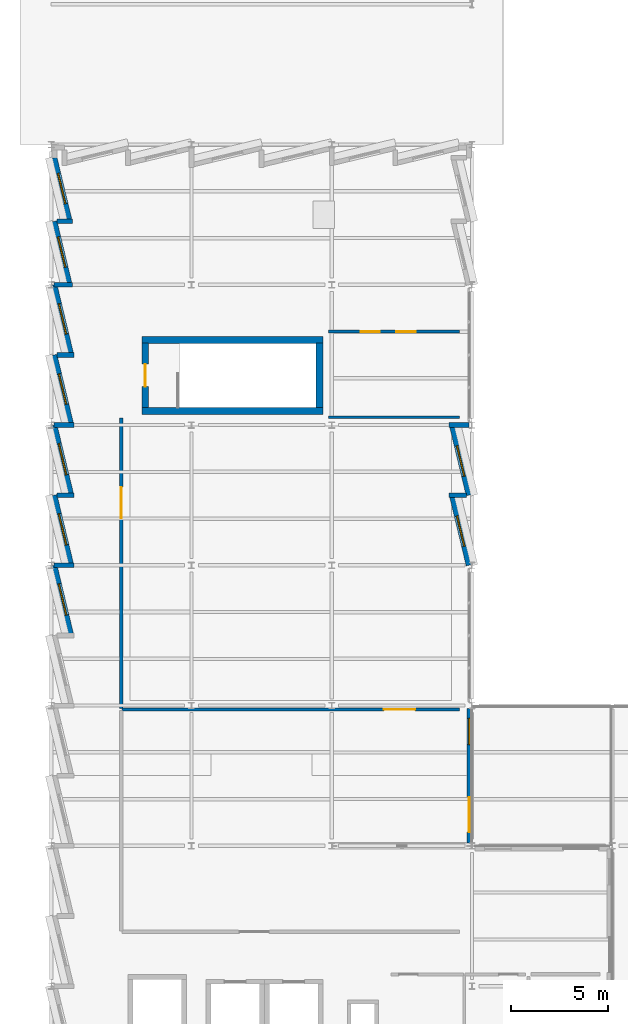
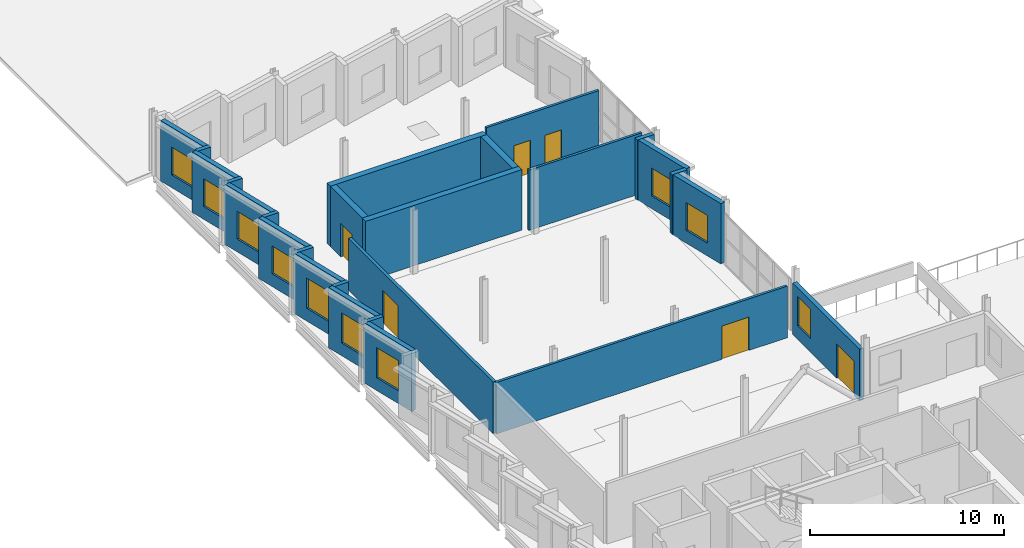
# One storey, part 15 of 18: 26 walls, 10 windows, 6 doors, 16 openings.
"""IFC4 building model written with IfcOpenShell, lengths in metres."""

from ifc_helpers import new_model, si_unit, direction, frame, frame_2d, origin, place, context, subcontext, project, spatial, rectangle, extrude, material, layer, layer_set, type_object, element, fill, save


model = new_model("IFC4")

# Units and contexts
model_context = context("Model", 3, precision=1e-05, world=origin(), true_north=direction((0.0, 1.0)))
body_context = subcontext(model_context, "Body", "Model", "MODEL_VIEW")
ifc_project = project(units=[si_unit("LENGTHUNIT", "METRE"), si_unit("AREAUNIT", "SQUARE_METRE"), si_unit("VOLUMEUNIT", "CUBIC_METRE"), si_unit("PLANEANGLEUNIT", "RADIAN"), si_unit("MASSUNIT", "GRAM", prefix="KILO")], contexts=[model_context])

# Site, building, storey
site_placement = place(None, origin())
site = spatial("IfcSite", under=ifc_project, at=site_placement, CompositionType="ELEMENT")
building_placement = place(site_placement, origin())
building = spatial("IfcBuilding", under=site, at=building_placement, Name="Kalmorath City Hall", CompositionType="ELEMENT")
storey_placement = place(building_placement, frame((0.0, 0.0, 27.0)))
storey = spatial("IfcBuildingStorey", under=building, at=storey_placement, Name="L06", CompositionType="ELEMENT", Elevation=27.0)

# Walls
ifc_material_1 = material(Name="Concrete C50/60", Category="concrete")
ifc_layer_1 = layer(ifc_material_1, 0.35009765625)
ifc_layer_set_1 = layer_set([ifc_layer_1], Name="Concrete C50/60")
wall_type_1 = type_object("IfcWallType", Name="Concrete core shear wall 350", PredefinedType="SHEAR", material=ifc_layer_set_1)
for number, where, z_axis, x_axis, name in (
    (1, (4.64990234375, 51.125, 0.0), (0.0, 0.0, 1.0), (1.0, 0.0, 0.0), "L06 C3 stair core shear wall S"),
    (2, (13.949951171875, 54.77490234375, 0.0), (0.0, 0.0, 1.0), (-1.0, 0.0, 0.0), "L06 C3 stair core shear wall N"),
):
    element("IfcWall", number, at=place(storey_placement, frame(where, z_axis=z_axis, x_axis=x_axis)), inside=storey, type_object=wall_type_1, Name=name, PredefinedType="SHEAR", context=body_context, shape_type="SweptSolid", body=[
        extrude(rectangle(XDim=9.300048828125, YDim=0.35009765625, at=frame_2d((4.64990234375, 0.0))), origin(), (0.0, 0.0, 1.0), 3.800048828125),
    ])

# Wall, opening, door
wall_1_placement = place(storey_placement, frame((4.824951171875, 54.60009765625, 0.0), z_axis=(0.0, 0.0, 1.0), x_axis=(0.0, -1.0, 0.0)))
wall_1 = element("IfcWall", 3, at=wall_1_placement, inside=storey, type_object=wall_type_1, Name="L06 C3 stair core shear wall W", PredefinedType="SHEAR", context=body_context, shape_type="SweptSolid", body=[
    extrude(rectangle(XDim=3.300048828125, YDim=0.35009765625, at=frame_2d((1.64990234375, 0.0))), origin(), (0.0, 0.0, 1.0), 3.800048828125),
])
opening_1_placement = place(wall_1_placement, frame((1.074951171875, 0.0, 0.0)))
opening_1 = element("IfcOpeningElement", 4, at=opening_1_placement, cuts=wall_1, Name="Opening D-L06-071", PredefinedType="OPENING", context=body_context, shape_type="SweptSolid", body=[
    extrude(rectangle(XDim=1.14990234375, YDim=2.10009765625, at=frame_2d((0.574951171875, 1.050048828125))), frame((0.0, 0.18505859375, 0.0), z_axis=(0.0, -1.0, 0.0), x_axis=(1.0, 0.0, 0.0)), (0.0, 0.0, 1.0), 0.3701171875),
])
ifc_material_2 = material(Name="Galvanised steel fire door", Category="steel")
door_type_1 = type_object("IfcDoorType", Name="Stair enclosure 90-min fire door 1150x2100", OperationType="NOTDEFINED", PredefinedType="DOOR", material=ifc_material_2)
door_1_placement = place(opening_1_placement, frame((1.14990234375, 0.0, 0.0), z_axis=(0.0, 0.0, 1.0), x_axis=(-1.0, 0.0, 0.0)))
door_1 = element("IfcDoor", 5, at=door_1_placement, inside=storey, type_object=door_type_1, Name="L06 door D-L06-071", OperationType="SINGLE_SWING_LEFT", OverallHeight=2.10009765625, OverallWidth=1.14990234375, PredefinedType="DOOR", context=body_context, shape_type="SweptSolid", body=[
    extrude(rectangle(XDim=1.14990234375, YDim=2.10009765625, at=frame_2d((0.574951171875, 1.050048828125))), frame((0.0, 0.02490234375, 0.0), z_axis=(0.0, -1.0, 0.0), x_axis=(1.0, 0.0, 0.0)), (0.0, 0.0, 1.0), 0.050048828125),
])
fill(opening_1, door_1)

# Wall
wall_2_placement = place(storey_placement, frame((13.77490234375, 51.300048828125, 0.0), z_axis=(0.0, 0.0, 1.0), x_axis=(0.0, 1.0, 0.0)))
element("IfcWall", 6, at=wall_2_placement, inside=storey, type_object=wall_type_1, Name="L06 C3 stair core shear wall E", PredefinedType="SHEAR", context=body_context, shape_type="SweptSolid", body=[
    extrude(rectangle(XDim=3.300048828125, YDim=0.35009765625, at=frame_2d((1.64990234375, 0.0))), origin(), (0.0, 0.0, 1.0), 3.800048828125),
])

# Wall, opening, door
ifc_material_3 = material(Name="Acoustic metal-stud gypsum partition")
ifc_layer_2 = layer(ifc_material_3, 0.14990234375)
ifc_layer_set_2 = layer_set([ifc_layer_2], Name="Acoustic metal-stud gypsum partition")
wall_type_2 = type_object("IfcWallType", Name="Departmental suite partition 150", PredefinedType="PARTITIONING", material=ifc_layer_set_2)
wall_3_placement = place(storey_placement, frame((3.639892578125, 35.800048828125, 0.0), z_axis=(0.0, 0.0, 1.0), x_axis=(1.0, 0.0, 0.0)))
wall_3 = element("IfcWall", 7, at=wall_3_placement, inside=storey, type_object=wall_type_2, Name="L06 interior partition PW4 #194", PredefinedType="PARTITIONING", context=body_context, shape_type="SweptSolid", body=[
    extrude(rectangle(XDim=17.320068359375, YDim=0.14990234375, at=frame_2d((8.66015625, 0.0))), origin(), (0.0, 0.0, 1.0), 3.24609375),
])
opening_2_placement = place(wall_3_placement, frame((13.43994140625, 0.0, 0.0)))
opening_2 = element("IfcOpeningElement", 8, at=opening_2_placement, cuts=wall_3, Name="Opening D-L06-265", PredefinedType="OPENING", context=body_context, shape_type="SweptSolid", body=[
    extrude(rectangle(XDim=1.60009765625, YDim=2.10009765625, at=frame_2d((0.800048828125, 1.050048828125))), frame((0.0, 0.0849609375, 0.0), z_axis=(0.0, -1.0, 0.0), x_axis=(1.0, 0.0, 0.0)), (0.0, 0.0, 1.0), 0.169921875),
])
ifc_material_4 = material(Name="Acoustic hardwood fire door", Category="wood")
door_type_2 = type_object("IfcDoorType", Name="Committee double fire door 1600x2100", OperationType="DOUBLE_DOOR_SINGLE_SWING", PredefinedType="DOOR", material=ifc_material_4)
door_2_placement = place(opening_2_placement, origin())
door_2 = element("IfcDoor", 9, at=door_2_placement, inside=storey, type_object=door_type_2, Name="L06 door D-L06-265", OperationType="DOUBLE_DOOR_SINGLE_SWING", OverallHeight=2.10009765625, OverallWidth=1.60009765625, PredefinedType="DOOR", context=body_context, shape_type="SweptSolid", body=[
    extrude(rectangle(XDim=1.60009765625, YDim=2.10009765625, at=frame_2d((0.800048828125, 1.050048828125))), frame((0.0, 0.02490234375, 0.0), z_axis=(0.0, -1.0, 0.0), x_axis=(1.0, 0.0, 0.0)), (0.0, 0.0, 1.0), 0.050048828125),
])
fill(opening_2, door_2)

# Wall
wall_4_placement = place(storey_placement, frame((14.239990234375, 50.800048828125, 0.0), z_axis=(0.0, 0.0, 1.0), x_axis=(1.0, 0.0, 0.0)))
element("IfcWall", 10, at=wall_4_placement, inside=storey, type_object=wall_type_2, Name="L06 interior partition PW4 #195", PredefinedType="PARTITIONING", context=body_context, shape_type="SweptSolid", body=[
    extrude(rectangle(XDim=6.719970703125, YDim=0.14990234375, at=frame_2d((3.35986328125, 0.0))), origin(), (0.0, 0.0, 1.0), 3.800048828125),
])

# Wall, openings, doors
wall_5_placement = place(storey_placement, frame((14.239990234375, 55.199951171875, 0.0), z_axis=(0.0, 0.0, 1.0), x_axis=(1.0, 0.0, 0.0)))
wall_5 = element("IfcWall", 11, at=wall_5_placement, inside=storey, type_object=wall_type_2, Name="L06 interior partition PW4 #196", PredefinedType="PARTITIONING", context=body_context, shape_type="SweptSolid", body=[
    extrude(rectangle(XDim=6.719970703125, YDim=0.14990234375, at=frame_2d((3.35986328125, 0.0))), origin(), (0.0, 0.0, 1.0), 3.800048828125),
])
opening_3_placement = place(wall_5_placement, frame((3.482421875, 0.0, 0.0)))
opening_3 = element("IfcOpeningElement", 12, at=opening_3_placement, cuts=wall_5, Name="Opening D-L06-266", PredefinedType="OPENING", context=body_context, shape_type="SweptSolid", body=[
    extrude(rectangle(XDim=0.97998046875, YDim=2.10009765625, at=frame_2d((0.489990234375, 1.050048828125))), frame((0.0, 0.0849609375, 0.0), z_axis=(0.0, -1.0, 0.0), x_axis=(1.0, 0.0, 0.0)), (0.0, 0.0, 1.0), 0.169921875),
])
opening_4_placement = place(wall_5_placement, frame((1.64501953125, 0.0, 0.0)))
opening_4 = element("IfcOpeningElement", 13, at=opening_4_placement, cuts=wall_5, Name="Opening D-L06-267", PredefinedType="OPENING", context=body_context, shape_type="SweptSolid", body=[
    extrude(rectangle(XDim=0.97998046875, YDim=2.10009765625, at=frame_2d((0.489990234375, 1.050048828125))), frame((0.0, 0.0849609375, 0.0), z_axis=(0.0, -1.0, 0.0), x_axis=(1.0, 0.0, 0.0)), (0.0, 0.0, 1.0), 0.169921875),
])
ifc_material_5 = material(Name="Hardwood veneer door", Category="wood")
door_type_3 = type_object("IfcDoorType", Name="Municipal suite single door 980x2100", OperationType="NOTDEFINED", PredefinedType="DOOR", material=ifc_material_5)
door_3_placement = place(opening_3_placement, origin())
door_3 = element("IfcDoor", 14, at=door_3_placement, inside=storey, type_object=door_type_3, Name="L06 door D-L06-266", OperationType="SINGLE_SWING_RIGHT", OverallHeight=2.10009765625, OverallWidth=0.97998046875, PredefinedType="DOOR", context=body_context, shape_type="SweptSolid", body=[
    extrude(rectangle(XDim=0.97998046875, YDim=2.10009765625, at=frame_2d((0.489990234375, 1.050048828125))), frame((0.0, 0.02490234375, 0.0), z_axis=(0.0, -1.0, 0.0), x_axis=(1.0, 0.0, 0.0)), (0.0, 0.0, 1.0), 0.050048828125),
])
fill(opening_3, door_3)
door_4_placement = place(opening_4_placement, origin())
door_4 = element("IfcDoor", 15, at=door_4_placement, inside=storey, type_object=door_type_3, Name="L06 door D-L06-267", OperationType="SINGLE_SWING_LEFT", OverallHeight=2.10009765625, OverallWidth=0.97998046875, PredefinedType="DOOR", context=body_context, shape_type="SweptSolid", body=[
    extrude(rectangle(XDim=0.97998046875, YDim=2.10009765625, at=frame_2d((0.489990234375, 1.050048828125))), frame((0.0, 0.02490234375, 0.0), z_axis=(0.0, -1.0, 0.0), x_axis=(1.0, 0.0, 0.0)), (0.0, 0.0, 1.0), 0.050048828125),
])
fill(opening_4, door_4)

# Wall, opening, door
ifc_material_6 = material(Name="Fire-rated acoustic gypsum partition")
ifc_layer_3 = layer(ifc_material_6, 0.179931640625)
ifc_layer_set_3 = layer_set([ifc_layer_3], Name="Fire-rated acoustic gypsum partition")
wall_type_3 = type_object("IfcWallType", Name="One-hour corridor fire partition 180", PredefinedType="PARTITIONING", material=ifc_layer_set_3)
wall_6_placement = place(storey_placement, frame((3.60009765625, 35.840087890625, 0.0), z_axis=(0.0, 0.0, 1.0), x_axis=(0.0, 1.0, 0.0)))
wall_6 = element("IfcWall", 16, at=wall_6_placement, inside=storey, type_object=wall_type_3, Name="L06 interior partition PW2 #186", PredefinedType="PARTITIONING", context=body_context, shape_type="SweptSolid", body=[
    extrude(rectangle(XDim=14.919921875, YDim=0.179931640625, at=frame_2d((7.4599609375, 0.0))), origin(), (0.0, 0.0, 1.0), 3.256103515625),
])
opening_5_placement = place(wall_6_placement, frame((9.780029296875, 0.0, 0.0)))
opening_5 = element("IfcOpeningElement", 17, at=opening_5_placement, cuts=wall_6, Name="Opening D-L06-264", PredefinedType="OPENING", context=body_context, shape_type="SweptSolid", body=[
    extrude(rectangle(XDim=1.60009765625, YDim=2.10009765625, at=frame_2d((0.800048828125, 1.050048828125))), frame((0.0, 0.099853515625, 0.0), z_axis=(0.0, -1.0, 0.0), x_axis=(1.0, 0.0, 0.0)), (0.0, 0.0, 1.0), 0.199951171875),
])
door_5_placement = place(opening_5_placement, origin())
door_5 = element("IfcDoor", 18, at=door_5_placement, inside=storey, type_object=door_type_2, Name="L06 door D-L06-264", OperationType="DOUBLE_DOOR_SINGLE_SWING", OverallHeight=2.10009765625, OverallWidth=1.60009765625, PredefinedType="DOOR", context=body_context, shape_type="SweptSolid", body=[
    extrude(rectangle(XDim=1.60009765625, YDim=2.10009765625, at=frame_2d((0.800048828125, 1.050048828125))), frame((0.0, 0.02490234375, 0.0), z_axis=(0.0, -1.0, 0.0), x_axis=(1.0, 0.0, 0.0)), (0.0, 0.0, 1.0), 0.050048828125),
])
fill(opening_5, door_5)

# Walls
ifc_material_7 = material(Name="Precast concrete C40/50", Category="concrete")
ifc_layer_4 = layer(ifc_material_7, 0.239990234375)
ifc_layer_set_4 = layer_set([ifc_layer_4], Name="Precast concrete C40/50")
wall_type_4 = type_object("IfcWallType", Name="Precast sawtooth cheek wall 240", PredefinedType="SOLIDWALL", material=ifc_layer_set_4)
wall_7_placement = place(storey_placement, frame((20.4306640625, 46.800048828125, 0.0), z_axis=(0.0, 0.0, 1.0), x_axis=(1.0, 0.0, 0.0)))
element("IfcWall", 19, at=wall_7_placement, inside=storey, type_object=wall_type_4, Name="L06 sawtooth return cheek #988", PredefinedType="SOLIDWALL", context=body_context, shape_type="SweptSolid", body=[
    extrude(rectangle(XDim=0.87744140625, YDim=0.239990234375, at=frame_2d((0.438720703125, 0.0))), origin(), (0.0, 0.0, 1.0), 3.800048828125),
])
wall_8_placement = place(storey_placement, frame((20.4306640625, 50.39990234375, 0.0), z_axis=(0.0, 0.0, 1.0), x_axis=(1.0, 0.0, 0.0)))
element("IfcWall", 20, at=wall_8_placement, inside=storey, type_object=wall_type_4, Name="L06 sawtooth return cheek #990", PredefinedType="SOLIDWALL", context=body_context, shape_type="SweptSolid", body=[
    extrude(rectangle(XDim=1.014892578125, YDim=0.239990234375, at=frame_2d((0.50732421875, 0.0))), origin(), (0.0, 0.0, 1.0), 3.800048828125),
])
wall_9_placement = place(storey_placement, frame((1.087646484375, 60.860107421875, 0.0), z_axis=(0.0, 0.0, 1.0), x_axis=(-1.0, 0.0, 0.0)))
element("IfcWall", 21, at=wall_9_placement, inside=storey, type_object=wall_type_4, Name="L06 sawtooth return cheek #1012", PredefinedType="SOLIDWALL", context=body_context, shape_type="SweptSolid", body=[
    extrude(rectangle(XDim=0.795654296875, YDim=0.239990234375, at=frame_2d((0.39794921875, 0.0))), origin(), (0.0, 0.0, 1.0), 3.800048828125),
])
wall_10_placement = place(storey_placement, frame((1.087646484375, 57.60009765625, 0.0), z_axis=(0.0, 0.0, 1.0), x_axis=(-1.0, 0.0, 0.0)))
element("IfcWall", 22, at=wall_10_placement, inside=storey, type_object=wall_type_4, Name="L06 sawtooth return cheek #1014", PredefinedType="SOLIDWALL", context=body_context, shape_type="SweptSolid", body=[
    extrude(rectangle(XDim=0.93310546875, YDim=0.239990234375, at=frame_2d((0.466552734375, 0.0))), origin(), (0.0, 0.0, 1.0), 3.800048828125),
])
wall_11_placement = place(storey_placement, frame((1.169189453125, 54.0, 0.0), z_axis=(0.0, 0.0, 1.0), x_axis=(-1.0, 0.0, 0.0)))
element("IfcWall", 23, at=wall_11_placement, inside=storey, type_object=wall_type_4, Name="L06 sawtooth return cheek #1016", PredefinedType="SOLIDWALL", context=body_context, shape_type="SweptSolid", body=[
    extrude(rectangle(XDim=0.877197265625, YDim=0.239990234375, at=frame_2d((0.4384765625, 0.0))), origin(), (0.0, 0.0, 1.0), 3.800048828125),
])
wall_12_placement = place(storey_placement, frame((1.169189453125, 50.39990234375, 0.0), z_axis=(0.0, 0.0, 1.0), x_axis=(-1.0, 0.0, 0.0)))
element("IfcWall", 24, at=wall_12_placement, inside=storey, type_object=wall_type_4, Name="L06 sawtooth return cheek #1018", PredefinedType="SOLIDWALL", context=body_context, shape_type="SweptSolid", body=[
    extrude(rectangle(XDim=1.0146484375, YDim=0.239990234375, at=frame_2d((0.50732421875, 0.0))), origin(), (0.0, 0.0, 1.0), 3.800048828125),
])
wall_13_placement = place(storey_placement, frame((1.169189453125, 46.800048828125, 0.0), z_axis=(0.0, 0.0, 1.0), x_axis=(-1.0, 0.0, 0.0)))
element("IfcWall", 25, at=wall_13_placement, inside=storey, type_object=wall_type_4, Name="L06 sawtooth return cheek #1020", PredefinedType="SOLIDWALL", context=body_context, shape_type="SweptSolid", body=[
    extrude(rectangle(XDim=0.877197265625, YDim=0.239990234375, at=frame_2d((0.4384765625, 0.0))), origin(), (0.0, 0.0, 1.0), 3.800048828125),
])
wall_14_placement = place(storey_placement, frame((1.169189453125, 43.199951171875, 0.0), z_axis=(0.0, 0.0, 1.0), x_axis=(-1.0, 0.0, 0.0)))
element("IfcWall", 26, at=wall_14_placement, inside=storey, type_object=wall_type_4, Name="L06 sawtooth return cheek #1022", PredefinedType="SOLIDWALL", context=body_context, shape_type="SweptSolid", body=[
    extrude(rectangle(XDim=1.0146484375, YDim=0.239990234375, at=frame_2d((0.50732421875, 0.0))), origin(), (0.0, 0.0, 1.0), 3.800048828125),
])

# Wall, opening, window
ifc_material_8 = material(Name="Precast concrete C40/50", Category="concrete")
ifc_layer_5 = layer(ifc_material_8, 0.280029296875)
ifc_layer_set_5 = layer_set([ifc_layer_5], Name="Precast concrete C40/50")
wall_type_5 = type_object("IfcWallType", Name="Precast sawtooth facade wall 280", PredefinedType="SOLIDWALL", material=ifc_layer_set_5)
wall_15_placement = place(storey_placement, frame((21.43994140625, 43.199951171875, 0.0), z_axis=(0.0, 0.0, 1.0), x_axis=(-0.233431827365, 0.972373170122, 0.0)))
wall_15 = element("IfcWall", 27, at=wall_15_placement, inside=storey, type_object=wall_type_5, Name="L06 sawtooth precast frame #987", PredefinedType="SOLIDWALL", context=body_context, shape_type="SweptSolid", body=[
    extrude(rectangle(XDim=3.607177734375, YDim=0.280029296875, at=frame_2d((1.8037109375, 0.0))), origin(), (0.0, 0.0, 1.0), 3.800048828125),
])
opening_6_placement = place(wall_15_placement, frame((1.003662109375, 0.0, 0.800048828125)))
opening_6 = element("IfcOpeningElement", 28, at=opening_6_placement, cuts=wall_15, Name="Opening WN3", PredefinedType="OPENING", context=body_context, shape_type="SweptSolid", body=[
    extrude(rectangle(XDim=1.60009765625, YDim=1.75, at=frame_2d((0.800048828125, 0.875))), frame((0.0, 0.14990234375, 0.0), z_axis=(0.0, -1.0, 0.0), x_axis=(1.0, 0.0, 0.0)), (0.0, 0.0, 1.0), 0.300048828125),
])
ifc_material_9 = material(Name="Aluminium and laminated glass", Category="aluminium")
window_type_1 = type_object("IfcWindowType", Name="Sawtooth upper window 1600x1750", PartitioningType="SINGLE_PANEL", PredefinedType="WINDOW", material=ifc_material_9)
window_1_placement = place(opening_6_placement, origin())
window_1 = element("IfcWindow", 29, at=window_1_placement, inside=storey, type_object=window_type_1, Name="L06 window WN3-508", OverallHeight=1.75, OverallWidth=1.60009765625, PartitioningType="SINGLE_PANEL", PredefinedType="WINDOW", context=body_context, shape_type="SweptSolid", body=[
    extrude(rectangle(XDim=1.60009765625, YDim=1.75, at=frame_2d((0.800048828125, 0.875))), frame((0.0, 0.030029296875, 0.0), z_axis=(0.0, -1.0, 0.0), x_axis=(1.0, 0.0, 0.0)), (0.0, 0.0, 1.0), 0.06005859375),
])
fill(opening_6, window_1)

wall_16_placement = place(storey_placement, frame((21.43994140625, 46.800048828125, 0.0), z_axis=(0.0, 0.0, 1.0), x_axis=(-0.233431827365, 0.972373170122, 0.0)))
wall_16 = element("IfcWall", 30, at=wall_16_placement, inside=storey, type_object=wall_type_5, Name="L06 sawtooth precast frame #989", PredefinedType="SOLIDWALL", context=body_context, shape_type="SweptSolid", body=[
    extrude(rectangle(XDim=3.607177734375, YDim=0.280029296875, at=frame_2d((1.8037109375, 0.0))), origin(), (0.0, 0.0, 1.0), 3.800048828125),
])
opening_7_placement = place(wall_16_placement, frame((1.003662109375, 0.0, 0.800048828125)))
opening_7 = element("IfcOpeningElement", 31, at=opening_7_placement, cuts=wall_16, Name="Opening WN3", PredefinedType="OPENING", context=body_context, shape_type="SweptSolid", body=[
    extrude(rectangle(XDim=1.60009765625, YDim=1.75, at=frame_2d((0.800048828125, 0.875))), frame((0.0, 0.14990234375, 0.0), z_axis=(0.0, -1.0, 0.0), x_axis=(1.0, 0.0, 0.0)), (0.0, 0.0, 1.0), 0.300048828125),
])
window_2_placement = place(opening_7_placement, origin())
window_2 = element("IfcWindow", 32, at=window_2_placement, inside=storey, type_object=window_type_1, Name="L06 window WN3-509", OverallHeight=1.75, OverallWidth=1.60009765625, PartitioningType="SINGLE_PANEL", PredefinedType="WINDOW", context=body_context, shape_type="SweptSolid", body=[
    extrude(rectangle(XDim=1.60009765625, YDim=1.75, at=frame_2d((0.800048828125, 0.875))), frame((0.0, 0.030029296875, 0.0), z_axis=(0.0, -1.0, 0.0), x_axis=(1.0, 0.0, 0.0)), (0.0, 0.0, 1.0), 0.06005859375),
])
fill(opening_7, window_2)

wall_17_placement = place(storey_placement, frame((0.159912109375, 64.1201171875, 0.0), z_axis=(0.0, 0.0, 1.0), x_axis=(0.233443812137, -0.972370292931, 0.0)))
wall_17 = element("IfcWall", 33, at=wall_17_placement, inside=storey, type_object=wall_type_5, Name="L06 sawtooth precast frame #1011", PredefinedType="SOLIDWALL", context=body_context, shape_type="SweptSolid", body=[
    extrude(rectangle(XDim=3.2578125, YDim=0.280029296875, at=frame_2d((1.62890625, 0.0))), origin(), (0.0, 0.0, 1.0), 3.800048828125),
])
opening_8_placement = place(wall_17_placement, frame((0.828857421875, 0.0, 0.800048828125)))
opening_8 = element("IfcOpeningElement", 34, at=opening_8_placement, cuts=wall_17, Name="Opening WN3", PredefinedType="OPENING", context=body_context, shape_type="SweptSolid", body=[
    extrude(rectangle(XDim=1.60009765625, YDim=1.75, at=frame_2d((0.800048828125, 0.875))), frame((0.0, 0.14990234375, 0.0), z_axis=(0.0, -1.0, 0.0), x_axis=(1.0, 0.0, 0.0)), (0.0, 0.0, 1.0), 0.300048828125),
])
window_3_placement = place(opening_8_placement, origin())
window_3 = element("IfcWindow", 35, at=window_3_placement, inside=storey, type_object=window_type_1, Name="L06 window WN3-518", OverallHeight=1.75, OverallWidth=1.60009765625, PartitioningType="SINGLE_PANEL", PredefinedType="WINDOW", context=body_context, shape_type="SweptSolid", body=[
    extrude(rectangle(XDim=1.60009765625, YDim=1.75, at=frame_2d((0.800048828125, 0.875))), frame((0.0, 0.030029296875, 0.0), z_axis=(0.0, -1.0, 0.0), x_axis=(1.0, 0.0, 0.0)), (0.0, 0.0, 1.0), 0.06005859375),
])
fill(opening_8, window_3)

wall_18_placement = place(storey_placement, frame((0.159912109375, 60.860107421875, 0.0), z_axis=(0.0, 0.0, 1.0), x_axis=(0.233443812137, -0.972370292931, 0.0)))
wall_18 = element("IfcWall", 36, at=wall_18_placement, inside=storey, type_object=wall_type_5, Name="L06 sawtooth precast frame #1013", PredefinedType="SOLIDWALL", context=body_context, shape_type="SweptSolid", body=[
    extrude(rectangle(XDim=3.2578125, YDim=0.280029296875, at=frame_2d((1.62890625, 0.0))), origin(), (0.0, 0.0, 1.0), 3.800048828125),
])
opening_9_placement = place(wall_18_placement, frame((0.828857421875, 0.0, 0.800048828125)))
opening_9 = element("IfcOpeningElement", 37, at=opening_9_placement, cuts=wall_18, Name="Opening WN3", PredefinedType="OPENING", context=body_context, shape_type="SweptSolid", body=[
    extrude(rectangle(XDim=1.60009765625, YDim=1.75, at=frame_2d((0.800048828125, 0.875))), frame((0.0, 0.14990234375, 0.0), z_axis=(0.0, -1.0, 0.0), x_axis=(1.0, 0.0, 0.0)), (0.0, 0.0, 1.0), 0.300048828125),
])
window_4_placement = place(opening_9_placement, origin())
window_4 = element("IfcWindow", 38, at=window_4_placement, inside=storey, type_object=window_type_1, Name="L06 window WN3-519", OverallHeight=1.75, OverallWidth=1.60009765625, PartitioningType="SINGLE_PANEL", PredefinedType="WINDOW", context=body_context, shape_type="SweptSolid", body=[
    extrude(rectangle(XDim=1.60009765625, YDim=1.75, at=frame_2d((0.800048828125, 0.875))), frame((0.0, 0.030029296875, 0.0), z_axis=(0.0, -1.0, 0.0), x_axis=(1.0, 0.0, 0.0)), (0.0, 0.0, 1.0), 0.06005859375),
])
fill(opening_9, window_4)

wall_19_placement = place(storey_placement, frame((0.159912109375, 57.60009765625, 0.0), z_axis=(0.0, 0.0, 1.0), x_axis=(0.233480453725, -0.972361495396, 0.0)))
wall_19 = element("IfcWall", 39, at=wall_19_placement, inside=storey, type_object=wall_type_5, Name="L06 sawtooth precast frame #1015", PredefinedType="SOLIDWALL", context=body_context, shape_type="SweptSolid", body=[
    extrude(rectangle(XDim=3.607421875, YDim=0.280029296875, at=frame_2d((1.8037109375, 0.0))), origin(), (0.0, 0.0, 1.0), 3.800048828125),
])
opening_10_placement = place(wall_19_placement, frame((1.003662109375, 0.0, 0.800048828125)))
opening_10 = element("IfcOpeningElement", 40, at=opening_10_placement, cuts=wall_19, Name="Opening WN3", PredefinedType="OPENING", context=body_context, shape_type="SweptSolid", body=[
    extrude(rectangle(XDim=1.60009765625, YDim=1.75, at=frame_2d((0.800048828125, 0.875))), frame((0.0, 0.14990234375, 0.0), z_axis=(0.0, -1.0, 0.0), x_axis=(1.0, 0.0, 0.0)), (0.0, 0.0, 1.0), 0.300048828125),
])
window_5_placement = place(opening_10_placement, origin())
window_5 = element("IfcWindow", 41, at=window_5_placement, inside=storey, type_object=window_type_1, Name="L06 window WN3-520", OverallHeight=1.75, OverallWidth=1.60009765625, PartitioningType="SINGLE_PANEL", PredefinedType="WINDOW", context=body_context, shape_type="SweptSolid", body=[
    extrude(rectangle(XDim=1.60009765625, YDim=1.75, at=frame_2d((0.800048828125, 0.875))), frame((0.0, 0.030029296875, 0.0), z_axis=(0.0, -1.0, 0.0), x_axis=(1.0, 0.0, 0.0)), (0.0, 0.0, 1.0), 0.06005859375),
])
fill(opening_10, window_5)

wall_20_placement = place(storey_placement, frame((0.159912109375, 54.0, 0.0), z_axis=(0.0, 0.0, 1.0), x_axis=(0.233495818898, -0.972357805829, 0.0)))
wall_20 = element("IfcWall", 42, at=wall_20_placement, inside=storey, type_object=wall_type_5, Name="L06 sawtooth precast frame #1017", PredefinedType="SOLIDWALL", context=body_context, shape_type="SweptSolid", body=[
    extrude(rectangle(XDim=3.607177734375, YDim=0.280029296875, at=frame_2d((1.8037109375, 0.0))), origin(), (0.0, 0.0, 1.0), 3.800048828125),
])
opening_11_placement = place(wall_20_placement, frame((1.003662109375, 0.0, 0.800048828125)))
opening_11 = element("IfcOpeningElement", 43, at=opening_11_placement, cuts=wall_20, Name="Opening WN3", PredefinedType="OPENING", context=body_context, shape_type="SweptSolid", body=[
    extrude(rectangle(XDim=1.60009765625, YDim=1.75, at=frame_2d((0.800048828125, 0.875))), frame((0.0, 0.14990234375, 0.0), z_axis=(0.0, -1.0, 0.0), x_axis=(1.0, 0.0, 0.0)), (0.0, 0.0, 1.0), 0.300048828125),
])
window_6_placement = place(opening_11_placement, origin())
window_6 = element("IfcWindow", 44, at=window_6_placement, inside=storey, type_object=window_type_1, Name="L06 window WN3-521", OverallHeight=1.75, OverallWidth=1.60009765625, PartitioningType="SINGLE_PANEL", PredefinedType="WINDOW", context=body_context, shape_type="SweptSolid", body=[
    extrude(rectangle(XDim=1.60009765625, YDim=1.75, at=frame_2d((0.800048828125, 0.875))), frame((0.0, 0.030029296875, 0.0), z_axis=(0.0, -1.0, 0.0), x_axis=(1.0, 0.0, 0.0)), (0.0, 0.0, 1.0), 0.06005859375),
])
fill(opening_11, window_6)

wall_21_placement = place(storey_placement, frame((0.159912109375, 50.39990234375, 0.0), z_axis=(0.0, 0.0, 1.0), x_axis=(0.233495818898, -0.972357805829, 0.0)))
wall_21 = element("IfcWall", 45, at=wall_21_placement, inside=storey, type_object=wall_type_5, Name="L06 sawtooth precast frame #1019", PredefinedType="SOLIDWALL", context=body_context, shape_type="SweptSolid", body=[
    extrude(rectangle(XDim=3.607177734375, YDim=0.280029296875, at=frame_2d((1.8037109375, 0.0))), origin(), (0.0, 0.0, 1.0), 3.800048828125),
])
opening_12_placement = place(wall_21_placement, frame((0.978515625, 0.0, 0.800048828125)))
opening_12 = element("IfcOpeningElement", 46, at=opening_12_placement, cuts=wall_21, Name="Opening WN2", PredefinedType="OPENING", context=body_context, shape_type="SweptSolid", body=[
    extrude(rectangle(XDim=1.64990234375, YDim=1.89990234375, at=frame_2d((0.824951171875, 0.949951171875))), frame((0.0, 0.14990234375, 0.0), z_axis=(0.0, -1.0, 0.0), x_axis=(1.0, 0.0, 0.0)), (0.0, 0.0, 1.0), 0.300048828125),
])
ifc_material_10 = material(Name="Aluminium and laminated glass", Category="aluminium")
window_type_2 = type_object("IfcWindowType", Name="Sawtooth hurricane window 1650x1900", PartitioningType="SINGLE_PANEL", PredefinedType="WINDOW", material=ifc_material_10)
window_7_placement = place(opening_12_placement, origin())
window_7 = element("IfcWindow", 47, at=window_7_placement, inside=storey, type_object=window_type_2, Name="L06 window WN2-522", OverallHeight=1.89990234375, OverallWidth=1.64990234375, PartitioningType="SINGLE_PANEL", PredefinedType="WINDOW", context=body_context, shape_type="SweptSolid", body=[
    extrude(rectangle(XDim=1.64990234375, YDim=1.89990234375, at=frame_2d((0.824951171875, 0.949951171875))), frame((0.0, 0.030029296875, 0.0), z_axis=(0.0, -1.0, 0.0), x_axis=(1.0, 0.0, 0.0)), (0.0, 0.0, 1.0), 0.06005859375),
])
fill(opening_12, window_7)

wall_22_placement = place(storey_placement, frame((0.159912109375, 46.800048828125, 0.0), z_axis=(0.0, 0.0, 1.0), x_axis=(0.233495818898, -0.972357805829, 0.0)))
wall_22 = element("IfcWall", 48, at=wall_22_placement, inside=storey, type_object=wall_type_5, Name="L06 sawtooth precast frame #1021", PredefinedType="SOLIDWALL", context=body_context, shape_type="SweptSolid", body=[
    extrude(rectangle(XDim=3.607177734375, YDim=0.280029296875, at=frame_2d((1.8037109375, 0.0))), origin(), (0.0, 0.0, 1.0), 3.800048828125),
])
opening_13_placement = place(wall_22_placement, frame((0.978515625, 0.0, 0.800048828125)))
opening_13 = element("IfcOpeningElement", 49, at=opening_13_placement, cuts=wall_22, Name="Opening WN2", PredefinedType="OPENING", context=body_context, shape_type="SweptSolid", body=[
    extrude(rectangle(XDim=1.64990234375, YDim=1.89990234375, at=frame_2d((0.824951171875, 0.949951171875))), frame((0.0, 0.14990234375, 0.0), z_axis=(0.0, -1.0, 0.0), x_axis=(1.0, 0.0, 0.0)), (0.0, 0.0, 1.0), 0.300048828125),
])
window_8_placement = place(opening_13_placement, origin())
window_8 = element("IfcWindow", 50, at=window_8_placement, inside=storey, type_object=window_type_2, Name="L06 window WN2-523", OverallHeight=1.89990234375, OverallWidth=1.64990234375, PartitioningType="SINGLE_PANEL", PredefinedType="WINDOW", context=body_context, shape_type="SweptSolid", body=[
    extrude(rectangle(XDim=1.64990234375, YDim=1.89990234375, at=frame_2d((0.824951171875, 0.949951171875))), frame((0.0, 0.030029296875, 0.0), z_axis=(0.0, -1.0, 0.0), x_axis=(1.0, 0.0, 0.0)), (0.0, 0.0, 1.0), 0.06005859375),
])
fill(opening_13, window_8)

wall_23_placement = place(storey_placement, frame((0.159912109375, 43.199951171875, 0.0), z_axis=(0.0, 0.0, 1.0), x_axis=(0.233495818898, -0.972357805829, 0.0)))
wall_23 = element("IfcWall", 51, at=wall_23_placement, inside=storey, type_object=wall_type_5, Name="L06 sawtooth precast frame #1023", PredefinedType="SOLIDWALL", context=body_context, shape_type="SweptSolid", body=[
    extrude(rectangle(XDim=3.607177734375, YDim=0.280029296875, at=frame_2d((1.8037109375, 0.0))), origin(), (0.0, 0.0, 1.0), 3.800048828125),
])
opening_14_placement = place(wall_23_placement, frame((0.978515625, 0.0, 0.800048828125)))
opening_14 = element("IfcOpeningElement", 52, at=opening_14_placement, cuts=wall_23, Name="Opening WN2", PredefinedType="OPENING", context=body_context, shape_type="SweptSolid", body=[
    extrude(rectangle(XDim=1.64990234375, YDim=1.89990234375, at=frame_2d((0.824951171875, 0.949951171875))), frame((0.0, 0.14990234375, 0.0), z_axis=(0.0, -1.0, 0.0), x_axis=(1.0, 0.0, 0.0)), (0.0, 0.0, 1.0), 0.300048828125),
])
window_9_placement = place(opening_14_placement, origin())
window_9 = element("IfcWindow", 53, at=window_9_placement, inside=storey, type_object=window_type_2, Name="L06 window WN2-524", OverallHeight=1.89990234375, OverallWidth=1.64990234375, PartitioningType="SINGLE_PANEL", PredefinedType="WINDOW", context=body_context, shape_type="SweptSolid", body=[
    extrude(rectangle(XDim=1.64990234375, YDim=1.89990234375, at=frame_2d((0.824951171875, 0.949951171875))), frame((0.0, 0.030029296875, 0.0), z_axis=(0.0, -1.0, 0.0), x_axis=(1.0, 0.0, 0.0)), (0.0, 0.0, 1.0), 0.06005859375),
])
fill(opening_14, window_9)

# Wall, openings, door, window
ifc_material_11 = material(Name="Precast concrete C40/50", Category="concrete")
ifc_layer_6 = layer(ifc_material_11, 0.239990234375)
ifc_layer_set_6 = layer_set([ifc_layer_6], Name="Precast concrete C40/50")
wall_type_6 = type_object("IfcWallType", Name="Recessed loggia insulated wall 240", PredefinedType="SOLIDWALL", material=ifc_layer_set_6)
wall_24_placement = place(storey_placement, frame((21.4599609375, 28.955078125, 0.0), z_axis=(0.0, 0.0, 1.0), x_axis=(0.0, 1.0, 0.0)))
wall_24 = element("IfcWall", 54, at=wall_24_placement, inside=storey, type_object=wall_type_6, Name="L06 loggia wall #986", PredefinedType="SOLIDWALL", context=body_context, shape_type="SweptSolid", body=[
    extrude(rectangle(XDim=6.889892578125, YDim=0.239990234375, at=frame_2d((3.44482421875, 0.0))), origin(), (0.0, 0.0, 1.0), 3.24609375),
])
opening_15_placement = place(wall_24_placement, frame((0.550048828125, 0.0, 0.0)))
opening_15 = element("IfcOpeningElement", 55, at=opening_15_placement, cuts=wall_24, Name="Opening D-E041", PredefinedType="OPENING", context=body_context, shape_type="SweptSolid", body=[
    extrude(rectangle(XDim=1.800048828125, YDim=2.14990234375, at=frame_2d((0.89990234375, 1.074951171875))), frame((0.0, 0.1298828125, 0.0), z_axis=(0.0, -1.0, 0.0), x_axis=(1.0, 0.0, 0.0)), (0.0, 0.0, 1.0), 0.260009765625),
])
opening_16_placement = place(wall_24_placement, frame((5.0400390625, 0.0, 0.85009765625)))
opening_16 = element("IfcOpeningElement", 56, at=opening_16_placement, cuts=wall_24, Name="Opening WN17", PredefinedType="OPENING", context=body_context, shape_type="SweptSolid", body=[
    extrude(rectangle(XDim=1.35009765625, YDim=1.85009765625, at=frame_2d((0.675048828125, 0.925048828125))), frame((0.0, 0.1298828125, 0.0), z_axis=(0.0, -1.0, 0.0), x_axis=(1.0, 0.0, 0.0)), (0.0, 0.0, 1.0), 0.260009765625),
])
ifc_material_12 = material(Name="Bronze-anodised aluminium and glass", Category="aluminium")
door_type_4 = type_object("IfcDoorType", Name="Roof garden double terrace door 1800x2150", OperationType="DOUBLE_DOOR_SINGLE_SWING", PredefinedType="DOOR", material=ifc_material_12)
door_6_placement = place(opening_15_placement, frame((1.800048828125, 0.0, 0.0), z_axis=(0.0, 0.0, 1.0), x_axis=(-1.0, 0.0, 0.0)))
door_6 = element("IfcDoor", 57, at=door_6_placement, inside=storey, type_object=door_type_4, Name="L06 exterior door D-E041", OperationType="DOUBLE_DOOR_SINGLE_SWING", OverallHeight=2.14990234375, OverallWidth=1.800048828125, PredefinedType="DOOR", context=body_context, shape_type="SweptSolid", body=[
    extrude(rectangle(XDim=1.800048828125, YDim=2.14990234375, at=frame_2d((0.89990234375, 1.074951171875))), frame((0.0, 0.02490234375, 0.0), z_axis=(0.0, -1.0, 0.0), x_axis=(1.0, 0.0, 0.0)), (0.0, 0.0, 1.0), 0.050048828125),
])
fill(opening_15, door_6)
ifc_material_13 = material(Name="Hardwood-trimmed laminated glass", Category="wood")
window_type_3 = type_object("IfcWindowType", Name="Terrace overlook window 1350x1850", PartitioningType="SINGLE_PANEL", PredefinedType="WINDOW", material=ifc_material_13)
window_10_placement = place(opening_16_placement, origin())
window_10 = element("IfcWindow", 58, at=window_10_placement, inside=storey, type_object=window_type_3, Name="L06 window WN17-507", OverallHeight=1.85009765625, OverallWidth=1.35009765625, PartitioningType="SINGLE_PANEL", PredefinedType="WINDOW", context=body_context, shape_type="SweptSolid", body=[
    extrude(rectangle(XDim=1.35009765625, YDim=1.85009765625, at=frame_2d((0.675048828125, 0.925048828125))), frame((0.0, 0.030029296875, 0.0), z_axis=(0.0, -1.0, 0.0), x_axis=(1.0, 0.0, 0.0)), (0.0, 0.0, 1.0), 0.06005859375),
])
fill(opening_16, window_10)

save(model, "model.ifc")
